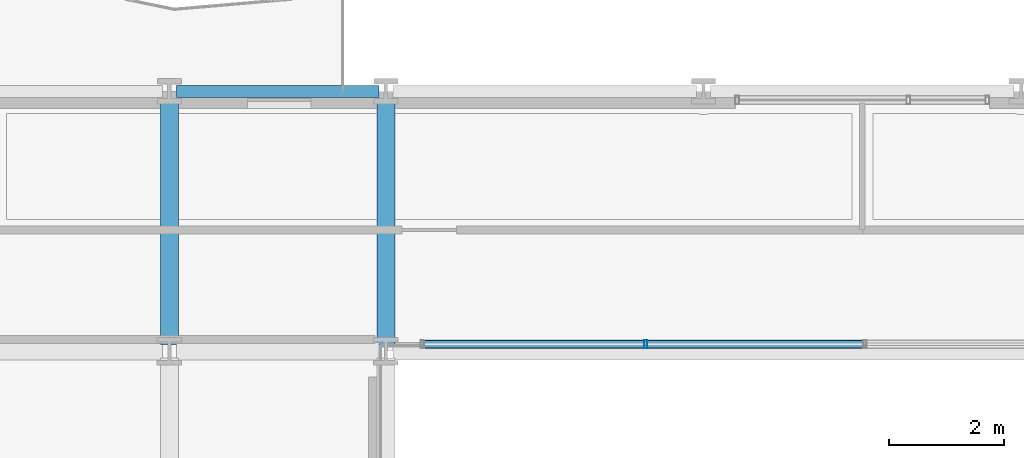
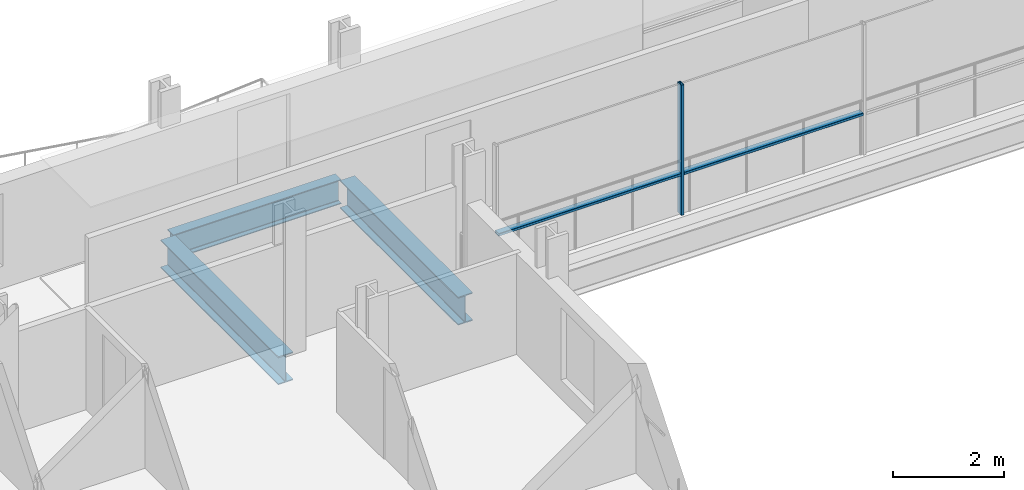
# One storey, part 9 of 39: 3 beams, 3 members, 1 element without a shape of its own.
"""IFC4 building model written with IfcOpenShell, lengths in metres."""

from ifc_helpers import new_model, si_unit, direction, frame, origin, origin_2d, place, context, subcontext, project, spatial, hollow_rectangle, i_section, extrude, material, layer, layer_set, material_profile, profile_set, type_object, element, aggregate, save


model = new_model("IFC4")

# Units and contexts
model_context = context("Model", 3, precision=1e-05, world=origin(), true_north=direction((0.0, 1.0)))
body_context = subcontext(model_context, "Body", "Model", "MODEL_VIEW")
ifc_project = project(units=[si_unit("LENGTHUNIT", "METRE"), si_unit("AREAUNIT", "SQUARE_METRE"), si_unit("VOLUMEUNIT", "CUBIC_METRE"), si_unit("PLANEANGLEUNIT", "RADIAN"), si_unit("MASSUNIT", "GRAM", prefix="KILO")], contexts=[model_context])

# Site, building, storey
site_placement = place(None, origin())
site = spatial("IfcSite", under=ifc_project, at=site_placement, CompositionType="ELEMENT")
building_placement = place(site_placement, origin())
building = spatial("IfcBuilding", under=site, at=building_placement, Name="Brevholm Reach", CompositionType="ELEMENT")
storey_placement = place(building_placement, frame((0.0, 0.0, 40.39990234375)))
storey = spatial("IfcBuildingStorey", under=building, at=storey_placement, Name="L10", CompositionType="ELEMENT", Elevation=40.39990234375)

# Beams
ifc_material_1 = material(Name="Structural Steel S355J2", Category="steel")
ifc_material_profile_1 = material_profile(ifc_material_1, i_section(OverallWidth=0.210693359375, OverallDepth=0.53955078125, WebThickness=0.01171875, FlangeThickness=0.018798828125, FilletRadius=0.0126953125, at=origin_2d()), Name="UKB 533x210x109")
ifc_profile_set_1 = profile_set([ifc_material_profile_1], Name="Structural Steel S355J2")
beam_type_1 = type_object("IfcBeamType", Name="BM-SP539", PredefinedType="SPANDREL", material=ifc_profile_set_1)
beam_placement = place(storey_placement, frame((18.1201171875, 31.0, -0.499755859375), z_axis=(1.0, 0.0, 0.0), x_axis=(0.0, 1.0, 0.0)))
element("IfcBeam", 1, at=beam_placement, inside=storey, type_object=beam_type_1, Name="L10 SP-01B Framing Beam", PredefinedType="SPANDREL", context=body_context, shape_type="SweptSolid", body=[
    extrude(i_section(OverallWidth=0.210693359375, OverallDepth=0.53955078125, WebThickness=0.01171875, FlangeThickness=0.018798828125, FilletRadius=0.0126953125, at=origin_2d()), origin(), (0.0, 0.0, 1.0), 3.509765625),
])
ifc_material_2 = material(Name="Structural Steel S355J2", Category="steel")
ifc_material_profile_2 = material_profile(ifc_material_2, i_section(OverallWidth=0.30712890625, OverallDepth=0.6201171875, WebThickness=0.01416015625, FlangeThickness=0.023681640625, FilletRadius=0.0166015625, at=origin_2d()), Name="UKB 610x305x179")
ifc_profile_set_2 = profile_set([ifc_material_profile_2], Name="Structural Steel S355J2")
beam_type_2 = type_object("IfcBeamType", Name="BM-UKB610H", PredefinedType="USERDEFINED", material=ifc_profile_set_2)
for number, where, z_axis, x_axis, name in (
    (2, (18.0, 26.6201171875, -0.5400390625), (0.0, 1.0, 0.0), (-1.0, 0.0, 0.0), "L10 G-06 Framing Beam"),
    (3, (21.75, 26.6201171875, -0.5400390625), (0.0, 1.0, 0.0), (-1.0, 0.0, 0.0), "L10 G-06 Framing Beam"),
):
    element("IfcBeam", number, at=place(storey_placement, frame(where, z_axis=z_axis, x_axis=x_axis)), inside=storey, type_object=beam_type_2, Name=name, ObjectType="GIRDER", PredefinedType="USERDEFINED", context=body_context, shape_type="SweptSolid", body=[
        extrude(i_section(OverallWidth=0.30712890625, OverallDepth=0.6201171875, WebThickness=0.01416015625, FlangeThickness=0.023681640625, FilletRadius=0.0166015625, at=origin_2d()), origin(), (0.0, 0.0, 1.0), 4.259765625),
    ])

# Curtain wall, members
ifc_material_3 = material(Name="Dark Anodised Aluminium 6063-T6 and Solar-Control Glass", Category="aluminium")
ifc_layer = layer(ifc_material_3, 0.139892578125)
ifc_layer_set = layer_set([ifc_layer], Name="Dark Anodised Aluminium 6063-T6 and Solar-Control Glass")
curtain_wall_type = type_object("IfcCurtainWallType", Name="CW-02", PredefinedType="NOTDEFINED", material=ifc_layer_set)
curtain_wall_placement = place(storey_placement, origin())
curtain_wall = element("IfcCurtainWall", 4, at=curtain_wall_placement, inside=storey, type_object=curtain_wall_type, Name="L10 Curtain Wall CW-02", PredefinedType="NOTDEFINED")
ifc_material_4 = material(Name="Dark Anodised Aluminium 6063-T6", Category="aluminium")
ifc_material_profile_3 = material_profile(ifc_material_4, hollow_rectangle(XDim=0.06005859375, YDim=0.139892578125, WallThickness=0.0048828125, InnerFilletRadius=0.0048828125, OuterFilletRadius=0.010009765625, at=origin_2d()), Name="RHS 140x60x5")
ifc_profile_set_3 = profile_set([ifc_material_profile_3], Name="Dark Anodised Aluminium 6063-T6")
member_type_1 = type_object("IfcMemberType", Name="CWM-140", PredefinedType="MULLION", material=ifc_profile_set_3)
member_1_placement = place(storey_placement, frame((26.25, 26.6201171875, 0.0), z_axis=(0.0, 0.0, 1.0), x_axis=(-1.0, 0.0, 0.0)))
member_1 = element("IfcMember", 5, at=member_1_placement, type_object=member_type_1, Name="CM-140 Mullion 4", PredefinedType="MULLION", context=body_context, shape_type="SweptSolid", body=[
    extrude(hollow_rectangle(XDim=0.06005859375, YDim=0.139892578125, WallThickness=0.0048828125, InnerFilletRadius=0.0048828125, OuterFilletRadius=0.010009765625, at=origin_2d()), origin(), (0.0, 0.0, 1.0), 2.8701171875),
])
ifc_material_5 = material(Name="Dark Anodised Aluminium 6063-T6", Category="aluminium")
ifc_material_profile_4 = material_profile(ifc_material_5, hollow_rectangle(XDim=0.06005859375, YDim=0.139892578125, WallThickness=0.0048828125, InnerFilletRadius=0.0048828125, OuterFilletRadius=0.010009765625, at=origin_2d()), Name="RHS 140x60x5")
ifc_profile_set_4 = profile_set([ifc_material_profile_4], Name="Dark Anodised Aluminium 6063-T6")
member_type_2 = type_object("IfcMemberType", Name="CWT-140", PredefinedType="NOTDEFINED", material=ifc_profile_set_4)
member_2_placement = place(storey_placement, frame((30.02001953125, 26.6201171875, 0.900146484375), z_axis=(-1.0, 0.0, 0.0), x_axis=(0.0, 0.0, 1.0)))
member_2 = element("IfcMember", 6, at=member_2_placement, type_object=member_type_2, Name="CT-140 Transom 3.1", ObjectType="TRANSOM", PredefinedType="USERDEFINED", context=body_context, shape_type="SweptSolid", body=[
    extrude(hollow_rectangle(XDim=0.06005859375, YDim=0.139892578125, WallThickness=0.0048828125, InnerFilletRadius=0.0048828125, OuterFilletRadius=0.010009765625, at=origin_2d()), origin(), (0.0, 0.0, 1.0), 3.739990234375),
])
member_3_placement = place(storey_placement, frame((26.219970703125, 26.6201171875, 0.900146484375), z_axis=(-1.0, 0.0, 0.0), x_axis=(0.0, 0.0, 1.0)))
member_3 = element("IfcMember", 7, at=member_3_placement, type_object=member_type_2, Name="CT-140 Transom 4.1", ObjectType="TRANSOM", PredefinedType="USERDEFINED", context=body_context, shape_type="SweptSolid", body=[
    extrude(hollow_rectangle(XDim=0.06005859375, YDim=0.139892578125, WallThickness=0.0048828125, InnerFilletRadius=0.0048828125, OuterFilletRadius=0.010009765625, at=origin_2d()), origin(), (0.0, 0.0, 1.0), 3.81005859375),
])
aggregate(curtain_wall, [member_1, member_2, member_3])

save(model, "model.ifc")
